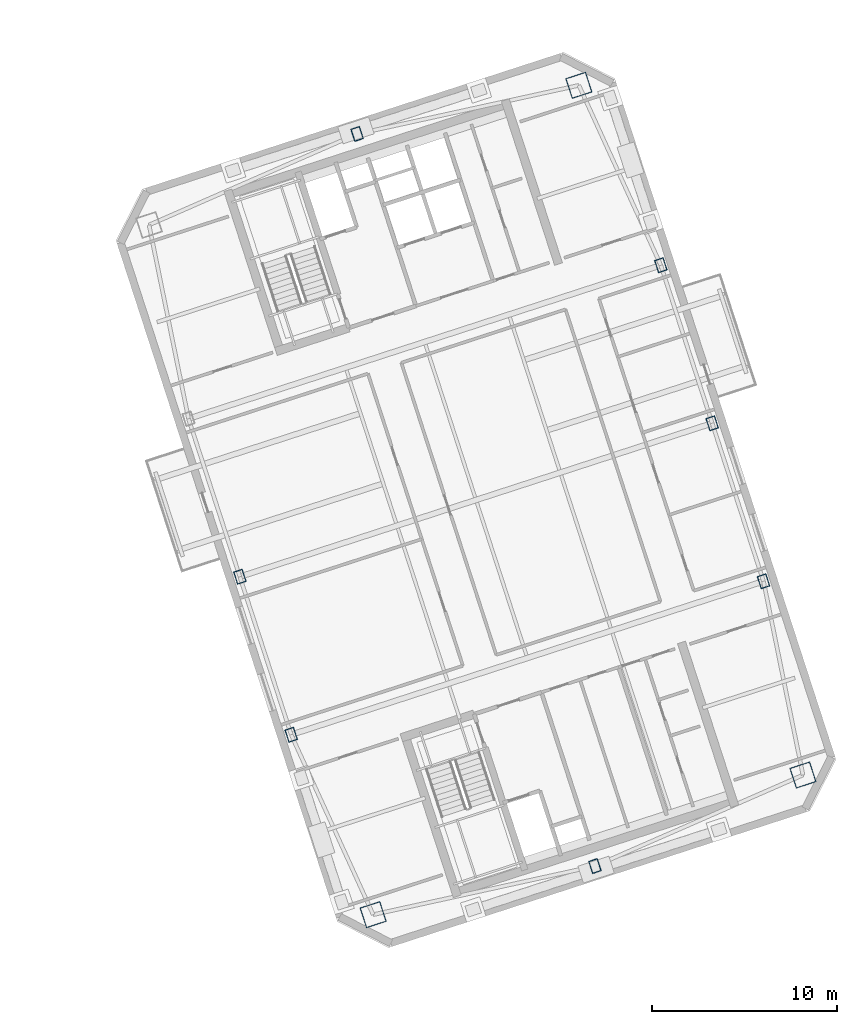
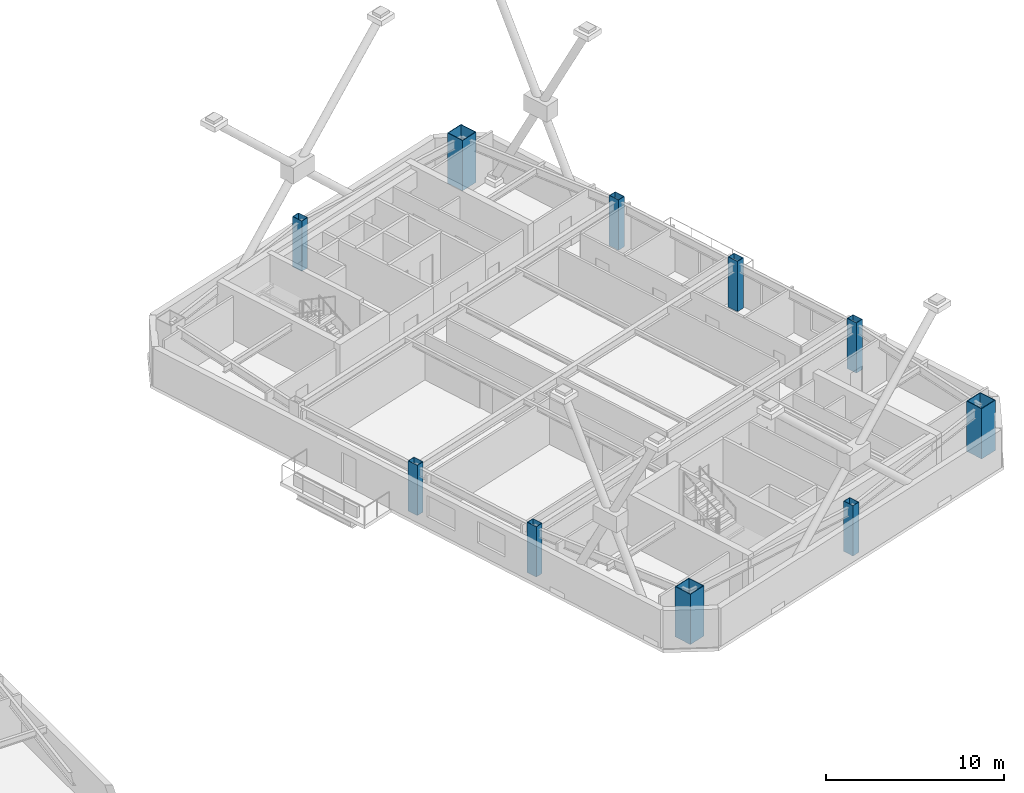
# One storey, part 2 of 16: 10 columns.
"""IFC4 building model written with IfcOpenShell, lengths in metres."""

from ifc_helpers import new_model, si_unit, direction, frame, origin, origin_2d, place, context, subcontext, project, spatial, hollow_rectangle, extrude, material, material_profile, profile_set, type_object, element, save


model = new_model("IFC4")

# Units and contexts
model_context = context("Model", 3, precision=1e-05, world=origin(), true_north=direction((0.0, 1.0)))
body_context = subcontext(model_context, "Body", "Model", "MODEL_VIEW")
ifc_project = project(units=[si_unit("LENGTHUNIT", "METRE"), si_unit("AREAUNIT", "SQUARE_METRE"), si_unit("VOLUMEUNIT", "CUBIC_METRE"), si_unit("PLANEANGLEUNIT", "RADIAN"), si_unit("MASSUNIT", "GRAM", prefix="KILO")], contexts=[model_context])

# Site, building, storey
site_placement = place(None, origin())
site = spatial("IfcSite", under=ifc_project, at=site_placement, CompositionType="ELEMENT")
building_placement = place(site_placement, origin())
building = spatial("IfcBuilding", under=site, at=building_placement, Name="Qiaolan Cultural Towers", CompositionType="ELEMENT")
storey_placement = place(building_placement, frame((0.0, 0.0, 198.949951171875)))
storey = spatial("IfcBuildingStorey", under=building, at=storey_placement, Name="L53", CompositionType="ELEMENT", Elevation=198.949951171875)

# Columns
ifc_material_1 = material(Name="Steel Q390GJB", Category="steel")
ifc_material_profile_1 = material_profile(ifc_material_1, hollow_rectangle(XDim=1.14990234375, YDim=1.14990234375, WallThickness=0.0400390625, at=origin_2d()), Name="BOX1150x1150x40")
ifc_profile_set_1 = profile_set([ifc_material_profile_1], Name="Steel Q390GJB")
column_type_1 = type_object("IfcColumnType", Name="COL-BOX1150x1150x40", PredefinedType="COLUMN", material=ifc_profile_set_1)
for number, where, z_axis, x_axis, name in (
    (1, (84.42822265625, 11.538818359375, 0.0), (0.0, 0.0, 1.0), (0.951056516295, 0.309016994375, 0.0), "L53 T2 Perimeter Column MC-SW"),
    (2, (107.7099609375, 19.103515625, 0.0), (0.0, 0.0, 1.0), (0.951056516295, 0.309016994375, 0.0), "L53 T2 Perimeter Column MC-SE"),
    (3, (95.57177734375, 56.461181640625, 0.0), (0.0, 0.0, 1.0), (0.951056516295, 0.309016994375, 0.0), "L53 T2 Perimeter Column MC-NE"),
):
    element("IfcColumn", number, at=place(storey_placement, frame(where, z_axis=z_axis, x_axis=x_axis)), inside=storey, type_object=column_type_1, Name=name, PredefinedType="COLUMN", context=body_context, shape_type="SweptSolid", body=[
        extrude(hollow_rectangle(XDim=1.14990234375, YDim=1.14990234375, WallThickness=0.0400390625, at=origin_2d()), origin(), (0.0, 0.0, 1.0), 3.450927734375),
    ])
ifc_material_2 = material(Name="Steel Q355B", Category="steel")
ifc_material_profile_2 = material_profile(ifc_material_2, hollow_rectangle(XDim=0.5, YDim=0.699951171875, WallThickness=0.02490234375, at=origin_2d()), Name="BOX700x500x25")
ifc_profile_set_2 = profile_set([ifc_material_profile_2], Name="Steel Q355B")
column_type_2 = type_object("IfcColumnType", Name="COL-BOX700x500x25", PredefinedType="COLUMN", material=ifc_profile_set_2)
for number, where, z_axis, x_axis, name in (
    (4, (79.989501953125, 21.2841796875, 0.0), (0.0, 0.0, 1.0), (0.951056516295, 0.309016994375, 0.0), "L53 T2 Perimeter Column PC-W1"),
    (5, (77.208251953125, 29.84375, 0.0), (0.0, 0.0, 1.0), (0.951056516295, 0.309016994375, 0.0), "L53 T2 Perimeter Column PC-W2"),
    (6, (105.57275390625, 29.5966796875, 0.0), (0.0, 0.0, 1.0), (0.951056516295, 0.309016994375, 0.0), "L53 T2 Perimeter Column PC-E1"),
    (7, (102.791748046875, 38.15625, 0.0), (0.0, 0.0, 1.0), (0.951056516295, 0.309016994375, 0.0), "L53 T2 Perimeter Column PC-E2"),
    (8, (100.010498046875, 46.7158203125, 0.0), (0.0, 0.0, 1.0), (0.951056516295, 0.309016994375, 0.0), "L53 T2 Perimeter Column PC-E3"),
    (9, (96.443115234375, 14.17041015625, 0.0), (0.0, 0.0, 1.0), (0.951056516295, 0.309016994375, 0.0), "L53 T2 Perimeter Column PC-S0"),
    (10, (83.556884765625, 53.82958984375, 0.0), (0.0, 0.0, 1.0), (0.951056516295, 0.309016994375, 0.0), "L53 T2 Perimeter Column PC-N0"),
):
    element("IfcColumn", number, at=place(storey_placement, frame(where, z_axis=z_axis, x_axis=x_axis)), inside=storey, type_object=column_type_2, Name=name, PredefinedType="COLUMN", context=body_context, shape_type="SweptSolid", body=[
        extrude(hollow_rectangle(XDim=0.5, YDim=0.699951171875, WallThickness=0.02490234375, at=origin_2d()), origin(), (0.0, 0.0, 1.0), 3.450927734375),
    ])

save(model, "model.ifc")
